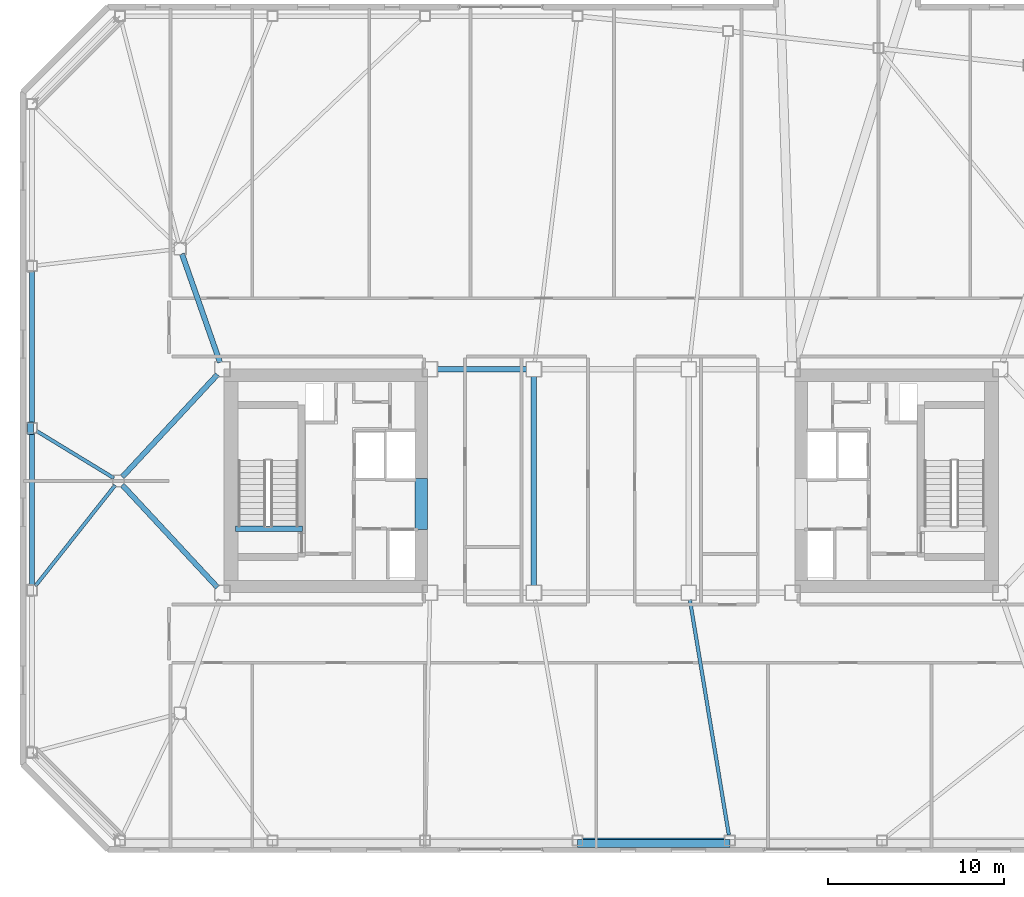
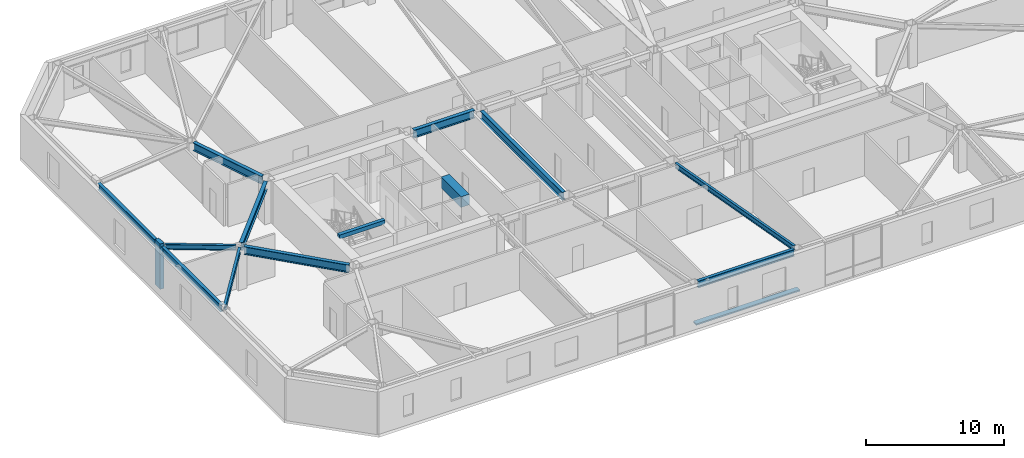
# One storey, part 5 of 18: 13 beams, 2 members.
"""IFC4 building model written with IfcOpenShell, lengths in metres."""

from ifc_helpers import new_model, si_unit, direction, frame, origin, origin_2d, place, context, subcontext, project, spatial, rectangle, i_section, extrude, material, material_profile, profile_set, type_object, element, save


model = new_model("IFC4")

# Units and contexts
model_context = context("Model", 3, precision=1e-05, world=origin(), true_north=direction((0.0, 1.0)))
body_context = subcontext(model_context, "Body", "Model", "MODEL_VIEW")
ifc_project = project(units=[si_unit("LENGTHUNIT", "METRE"), si_unit("AREAUNIT", "SQUARE_METRE"), si_unit("VOLUMEUNIT", "CUBIC_METRE"), si_unit("PLANEANGLEUNIT", "RADIAN"), si_unit("MASSUNIT", "GRAM", prefix="KILO")], contexts=[model_context])

# Site, building, storey
site_placement = place(None, origin())
site = spatial("IfcSite", under=ifc_project, at=site_placement, CompositionType="ELEMENT")
building_placement = place(site_placement, origin())
building = spatial("IfcBuilding", under=site, at=building_placement, Name="Tavrogorsk Clinical Tower", CompositionType="ELEMENT")
storey_placement = place(building_placement, frame((0.0, 0.0, 180.199951171875)))
storey = spatial("IfcBuildingStorey", under=building, at=storey_placement, Name="L41", CompositionType="ELEMENT", Elevation=180.199951171875)

# Member
ifc_material_1 = material(Name="Anodised aluminium alloy AW-6063", Category="aluminium")
ifc_material_profile_1 = material_profile(ifc_material_1, rectangle(XDim=0.449951171875, YDim=0.1201171875, at=origin_2d()), Name="ALU-SUNSHADE-450x120")
ifc_profile_set_1 = profile_set([ifc_material_profile_1], Name="Anodised aluminium alloy AW-6063")
member_type_1 = type_object("IfcMemberType", Name="ChicagoSunshade_450x120", PredefinedType="USERDEFINED", material=ifc_profile_set_1)
member_1_placement = place(storey_placement, frame((-1.931396484375, -20.60009765625, 0.179931640625), z_axis=(1.0, 0.0, 0.0), x_axis=(0.0, 1.0, 0.0)))
element("IfcMember", 1, at=member_1_placement, inside=storey, type_object=member_type_1, Name="L41 South Aluminium Sunshade S4", ObjectType="SUNSHADE", PredefinedType="USERDEFINED", context=body_context, shape_type="SweptSolid", body=[
    extrude(rectangle(XDim=0.449951171875, YDim=0.1201171875, at=origin_2d()), origin(), (0.0, 0.0, 1.0), 8.662841796875),
])

# Beams
ifc_material_2 = material(Name="Concrete B80", Category="concrete")
ifc_material_profile_2 = material_profile(ifc_material_2, rectangle(XDim=0.699951171875, YDim=0.949951171875, at=origin_2d()), Name="RC-CB-700x950")
ifc_profile_set_2 = profile_set([ifc_material_profile_2], Name="Concrete B80")
beam_type_1 = type_object("IfcBeamType", Name="CouplingBeam_RC700x950", PredefinedType="LINTEL", material=ifc_profile_set_2)
beam_1_placement = place(storey_placement, frame((-10.800048828125, -2.75, 3.26513671875), z_axis=(0.0, 1.0, 0.0), x_axis=(-1.0, 0.0, 0.0)))
element("IfcBeam", 2, at=beam_1_placement, inside=storey, type_object=beam_type_1, Name="L41 Core West Coupling Beam", PredefinedType="LINTEL", context=body_context, shape_type="SweptSolid", body=[
    extrude(rectangle(XDim=0.699951171875, YDim=0.949951171875, at=origin_2d()), origin(), (0.0, 0.0, 1.0), 2.89990234375),
])
ifc_material_3 = material(Name="Structural steel S355", Category="steel")
ifc_material_profile_3 = material_profile(ifc_material_3, i_section(OverallWidth=0.199951171875, OverallDepth=0.449951171875, WebThickness=0.011474609375, FlangeThickness=0.01806640625, at=origin_2d()), Name="B-450x200x11.5x18")
ifc_profile_set_3 = profile_set([ifc_material_profile_3], Name="Structural steel S355")
beam_type_2 = type_object("IfcBeamType", Name="FloorBeam_B450", PredefinedType="BEAM", material=ifc_profile_set_3)
beam_2_placement = place(storey_placement, frame((4.467041015625, -6.75439453125, 3.51513671875), z_axis=(0.16347521907, -0.986547440699, 0.0), x_axis=(0.986547440699, 0.16347521907, 0.0)))
element("IfcBeam", 3, at=beam_2_placement, inside=storey, type_object=beam_type_2, Name="L41 Radial Floor Beam S5", PredefinedType="BEAM", context=body_context, shape_type="SweptSolid", body=[
    extrude(i_section(OverallWidth=0.199951171875, OverallDepth=0.449951171875, WebThickness=0.011474609375, FlangeThickness=0.01806640625, at=origin_2d()), origin(), (0.0, 0.0, 1.0), 13.5439453125),
])
beam_3_placement = place(storey_placement, frame((-28.2646484375, 0.161376953125, 3.51513671875), z_axis=(-0.853798748257, 0.520603205402, 0.0), x_axis=(-0.520603205402, -0.853798748257, 0.0)))
element("IfcBeam", 4, at=beam_3_placement, inside=storey, type_object=beam_type_2, Name="L41 Radial Floor Beam W3", PredefinedType="BEAM", context=body_context, shape_type="SweptSolid", body=[
    extrude(i_section(OverallWidth=0.199951171875, OverallDepth=0.449951171875, WebThickness=0.011474609375, FlangeThickness=0.01806640625, at=origin_2d()), origin(), (0.0, 0.0, 1.0), 5.14453125),
])
beam_4_placement = place(storey_placement, frame((-28.192626953125, -0.242919921875, 3.51513671875), z_axis=(-0.620987118336, -0.783820769603, 0.0), x_axis=(0.783820769603, -0.620987118336, 0.0)))
element("IfcBeam", 5, at=beam_4_placement, inside=storey, type_object=beam_type_2, Name="L41 Radial Floor Beam W4", PredefinedType="BEAM", context=body_context, shape_type="SweptSolid", body=[
    extrude(i_section(OverallWidth=0.199951171875, OverallDepth=0.449951171875, WebThickness=0.011474609375, FlangeThickness=0.01806640625, at=origin_2d()), origin(), (0.0, 0.0, 1.0), 7.3046875),
])

# Member
ifc_material_4 = material(Name="Precast concrete B45 with limestone cladding", Category="masonry")
ifc_material_profile_4 = material_profile(ifc_material_4, rectangle(XDim=0.320068359375, YDim=0.719970703125, at=origin_2d()), Name="LIMESTONE-FIN-320x720")
ifc_profile_set_4 = profile_set([ifc_material_profile_4], Name="Precast concrete B45 with limestone cladding")
member_type_2 = type_object("IfcMemberType", Name="LimestonePleatFin_320x720", PredefinedType="USERDEFINED", material=ifc_profile_set_4)
member_2_placement = place(storey_placement, frame((-33.0, 3.0, 0.0), z_axis=(0.0, 0.0, 1.0), x_axis=(1.0, 0.0, 0.0)))
element("IfcMember", 6, at=member_2_placement, inside=storey, type_object=member_type_2, Name="L41 W Pleated Stone Fin 2", ObjectType="FIN", PredefinedType="USERDEFINED", context=body_context, shape_type="SweptSolid", body=[
    extrude(rectangle(XDim=0.320068359375, YDim=0.719970703125, at=origin_2d()), origin(), (0.0, 0.0, 1.0), 4.0),
])

# Beams
ifc_material_5 = material(Name="Structural steel S390", Category="steel")
ifc_material_profile_5 = material_profile(ifc_material_5, i_section(OverallWidth=0.300048828125, OverallDepth=0.699951171875, WebThickness=0.01708984375, FlangeThickness=0.028076171875, at=origin_2d()), Name="B-700x300x17x28")
ifc_profile_set_5 = profile_set([ifc_material_profile_5], Name="Structural steel S390")
beam_type_3 = type_object("IfcBeamType", Name="PrimaryGirder_B700", PredefinedType="USERDEFINED", material=ifc_profile_set_5)
beam_5_placement = place(storey_placement, frame((-9.889892578125, 6.35009765625, 3.39013671875), z_axis=(1.0, 0.0, 0.0), x_axis=(0.0, 1.0, 0.0)))
element("IfcBeam", 7, at=beam_5_placement, inside=storey, type_object=beam_type_3, Name="L41 Primary Spine Girder MG-02", ObjectType="GIRDER", PredefinedType="USERDEFINED", context=body_context, shape_type="SweptSolid", body=[
    extrude(i_section(OverallWidth=0.300048828125, OverallDepth=0.699951171875, WebThickness=0.01708984375, FlangeThickness=0.028076171875, at=origin_2d()), origin(), (0.0, 0.0, 1.0), 5.079833984375),
])
beam_6_placement = place(storey_placement, frame((-4.39990234375, -5.93994140625, 3.39013671875), z_axis=(0.0, 1.0, 0.0), x_axis=(-1.0, 0.0, 0.0)))
element("IfcBeam", 8, at=beam_6_placement, inside=storey, type_object=beam_type_3, Name="L41 Primary Spine Girder MG-07", ObjectType="GIRDER", PredefinedType="USERDEFINED", context=body_context, shape_type="SweptSolid", body=[
    extrude(i_section(OverallWidth=0.300048828125, OverallDepth=0.699951171875, WebThickness=0.01708984375, FlangeThickness=0.028076171875, at=origin_2d()), origin(), (0.0, 0.0, 1.0), 11.8798828125),
])
beam_7_placement = place(storey_placement, frame((-24.3974609375, 12.907470703125, 3.39013671875), z_axis=(0.33065312634, -0.94375235631, 0.0), x_axis=(0.94375235631, 0.33065312634, 0.0)))
element("IfcBeam", 9, at=beam_7_placement, inside=storey, type_object=beam_type_3, Name="L41 Spine Link Girder OPG-3", ObjectType="GIRDER", PredefinedType="USERDEFINED", context=body_context, shape_type="SweptSolid", body=[
    extrude(i_section(OverallWidth=0.300048828125, OverallDepth=0.699951171875, WebThickness=0.01708984375, FlangeThickness=0.028076171875, at=origin_2d()), origin(), (0.0, 0.0, 1.0), 6.5380859375),
])
for number, where, z_axis, x_axis, name in (
    (10, (-27.7890625, -0.22705078125, 3.39013671875), (0.680673750312, -0.732586681312, 0.0), (0.732586681312, 0.680673750312, 0.0), "L41 Spine Link Girder OPG-5"),
    (11, (-27.7890625, 0.22705078125, 3.39013671875), (0.680673750312, 0.732586681312, 0.0), (-0.732586681312, 0.680673750312, 0.0), "L41 Spine Link Girder OPG-6"),
):
    element("IfcBeam", number, at=place(storey_placement, frame(where, z_axis=z_axis, x_axis=x_axis)), inside=storey, type_object=beam_type_3, Name=name, ObjectType="GIRDER", PredefinedType="USERDEFINED", context=body_context, shape_type="SweptSolid", body=[
        extrude(i_section(OverallWidth=0.300048828125, OverallDepth=0.699951171875, WebThickness=0.01708984375, FlangeThickness=0.028076171875, at=origin_2d()), origin(), (0.0, 0.0, 1.0), 7.947998046875),
    ])
ifc_material_6 = material(Name="Structural steel S390", Category="steel")
ifc_material_profile_6 = material_profile(ifc_material_6, i_section(OverallWidth=0.260009765625, OverallDepth=0.60009765625, WebThickness=0.014892578125, FlangeThickness=0.02392578125, at=origin_2d()), Name="B-600x260x15x24")
ifc_profile_set_6 = profile_set([ifc_material_profile_6], Name="Structural steel S390")
beam_type_4 = type_object("IfcBeamType", Name="SpandrelBeam_B600", PredefinedType="SPANDREL", material=ifc_profile_set_6)
beam_8_placement = place(storey_placement, frame((-1.623291015625, -20.419921875, 3.43994140625), z_axis=(1.0, 0.0, 0.0), x_axis=(0.0, 1.0, 0.0)))
element("IfcBeam", 12, at=beam_8_placement, inside=storey, type_object=beam_type_4, Name="L41 Perimeter Spandrel S4-S5", PredefinedType="SPANDREL", context=body_context, shape_type="SweptSolid", body=[
    extrude(i_section(OverallWidth=0.260009765625, OverallDepth=0.60009765625, WebThickness=0.014892578125, FlangeThickness=0.02392578125, at=origin_2d()), origin(), (0.0, 0.0, 1.0), 8.046630859375),
])
for number, where, z_axis, x_axis, name in (
    (13, (-32.919921875, 11.902099609375, 3.43994140625), (0.0, -1.0, 0.0), (1.0, 0.0, 0.0), "L41 Perimeter Spandrel W2-W3"),
    (14, (-32.919921875, 2.69189453125, 3.43994140625), (0.0, -1.0, 0.0), (1.0, 0.0, 0.0), "L41 Perimeter Spandrel W3-W4"),
):
    element("IfcBeam", number, at=place(storey_placement, frame(where, z_axis=z_axis, x_axis=x_axis)), inside=storey, type_object=beam_type_4, Name=name, PredefinedType="SPANDREL", context=body_context, shape_type="SweptSolid", body=[
        extrude(i_section(OverallWidth=0.260009765625, OverallDepth=0.60009765625, WebThickness=0.014892578125, FlangeThickness=0.02392578125, at=origin_2d()), origin(), (0.0, 0.0, 1.0), 8.593994140625),
    ])
ifc_material_7 = material(Name="Concrete B60", Category="concrete")
ifc_material_profile_7 = material_profile(ifc_material_7, rectangle(XDim=0.300048828125, YDim=0.35009765625, at=origin_2d()), Name="RC-SHB-300x350")
ifc_profile_set_7 = profile_set([ifc_material_profile_7], Name="Concrete B60")
beam_type_5 = type_object("IfcBeamType", Name="StairHeaderBeam_RC300x350", PredefinedType="BEAM", material=ifc_profile_set_7)
beam_9_placement = place(storey_placement, frame((-21.35009765625, -2.719970703125, 3.824951171875), z_axis=(1.0, 0.0, 0.0), x_axis=(0.0, 1.0, 0.0)))
element("IfcBeam", 15, at=beam_9_placement, inside=storey, type_object=beam_type_5, Name="L42 ST-W Landing Header Beam", PredefinedType="BEAM", context=body_context, shape_type="SweptSolid", body=[
    extrude(rectangle(XDim=0.300048828125, YDim=0.35009765625, at=origin_2d()), origin(), (0.0, 0.0, 1.0), 3.800048828125),
])

save(model, "model.ifc")
